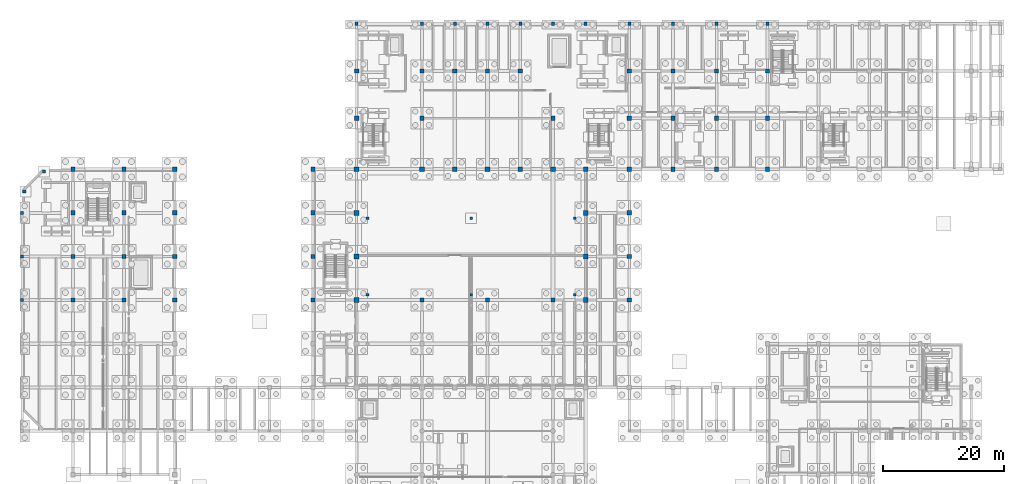
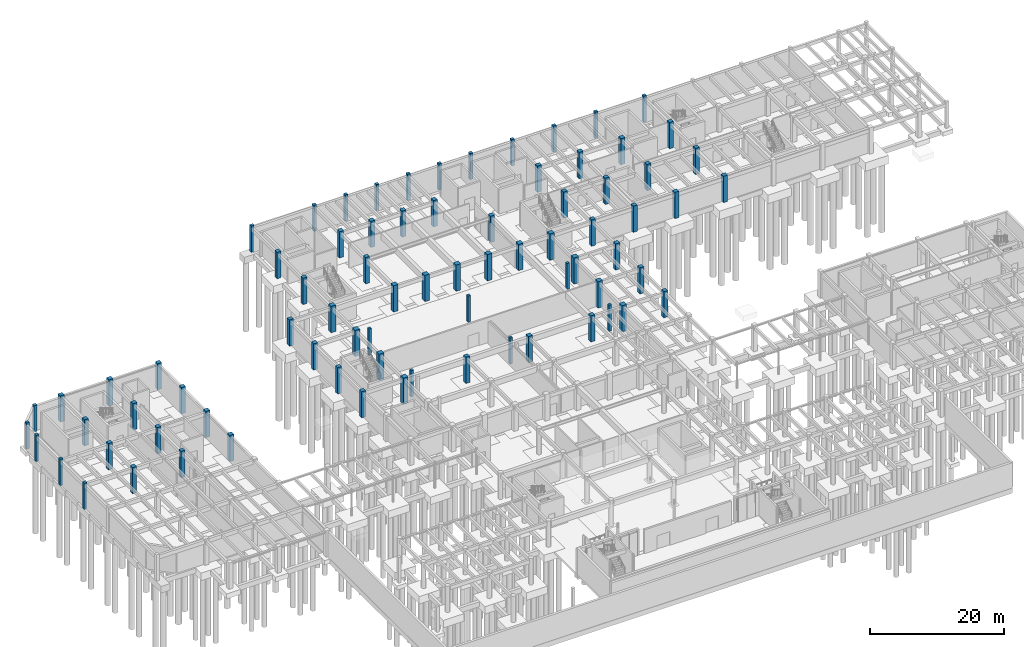
# One storey, part 17 of 46: 77 columns.
"""IFC4 building model written with IfcOpenShell, lengths in metres."""

from ifc_helpers import new_model, si_unit, direction, frame, origin, origin_2d, place, context, subcontext, project, spatial, rectangle, extrude, material, material_profile, profile_set, type_object, element, save


model = new_model("IFC4")

# Units and contexts
model_context = context("Model", 3, precision=1e-05, world=origin(), true_north=direction((0.0, 1.0)))
body_context = subcontext(model_context, "Body", "Model", "MODEL_VIEW")
ifc_project = project(units=[si_unit("LENGTHUNIT", "METRE"), si_unit("AREAUNIT", "SQUARE_METRE"), si_unit("VOLUMEUNIT", "CUBIC_METRE"), si_unit("PLANEANGLEUNIT", "RADIAN"), si_unit("MASSUNIT", "GRAM", prefix="KILO")], contexts=[model_context])

# Site, building, storey
site_placement = place(None, origin())
site = spatial("IfcSite", under=ifc_project, at=site_placement, CompositionType="ELEMENT")
building_placement = place(site_placement, origin())
building = spatial("IfcBuilding", under=site, at=building_placement, Name="Tazoul Stagehouse", CompositionType="ELEMENT")
storey_placement = place(building_placement, frame((0.0, 0.0, -4.800048828125)))
storey = spatial("IfcBuildingStorey", under=building, at=storey_placement, Name="B1", CompositionType="ELEMENT", Elevation=-4.800048828125)

# Columns
ifc_material = material(Name="Concrete C40/50", Category="concrete")
ifc_material_profile_1 = material_profile(ifc_material, rectangle(XDim=0.449951171875, YDim=0.449951171875, at=origin_2d()), Name="RC 450x450")
ifc_profile_set_1 = profile_set([ifc_material_profile_1], Name="Concrete C40/50")
column_type_1 = type_object("IfcColumnType", Name="RC Column 450x450", PredefinedType="COLUMN", material=ifc_profile_set_1)
for number, where, z_axis, x_axis, name in (
    (1, (59.39990234375, 79.699951171875, 0.0), (0.0, 0.0, 1.0), (1.0, 0.0, 0.0), "B1 Bowl Support Column C-01 (V1-STALLS-FRT-1)"),
    (2, (76.5, 79.699951171875, 0.0), (0.0, 0.0, 1.0), (1.0, 0.0, 0.0), "B1 Bowl Support Column C-01 (V1-STALLS-FRT-2)"),
    (3, (93.60009765625, 79.699951171875, 0.0), (0.0, 0.0, 1.0), (1.0, 0.0, 0.0), "B1 Bowl Support Column C-01 (V1-STALLS-FRT-3)"),
    (4, (59.39990234375, 67.10009765625, 0.0), (0.0, 0.0, 1.0), (1.0, 0.0, 0.0), "B1 Bowl Support Column C-01 (V1-STALLS-RER-1)"),
    (5, (76.5, 67.10009765625, 0.0), (0.0, 0.0, 1.0), (1.0, 0.0, 0.0), "B1 Bowl Support Column C-01 (V1-STALLS-RER-2)"),
    (6, (93.60009765625, 67.10009765625, 0.0), (0.0, 0.0, 1.0), (1.0, 0.0, 0.0), "B1 Bowl Support Column C-01 (V1-STALLS-RER-3)"),
):
    element("IfcColumn", number, at=place(storey_placement, frame(where, z_axis=z_axis, x_axis=x_axis)), inside=storey, type_object=column_type_1, Name=name, PredefinedType="COLUMN", context=body_context, shape_type="SweptSolid", body=[
        extrude(rectangle(XDim=0.449951171875, YDim=0.449951171875, at=origin_2d()), origin(), (0.0, 0.0, 1.0), 4.800048828125),
    ])
ifc_material_profile_2 = material_profile(ifc_material, rectangle(XDim=0.5, YDim=0.5, at=origin_2d()), Name="RC 500x500")
ifc_profile_set_2 = profile_set([ifc_material_profile_2], Name="Concrete C40/50")
column_type_2 = type_object("IfcColumnType", Name="RC Column 500x500", PredefinedType="COLUMN", material=ifc_profile_set_2)
for number, where, z_axis, x_axis, name in (
    (7, (6.0, 87.449951171875, 0.0), (0.0, 0.0, 1.0), (1.0, 0.0, 0.0), "B1 Black-Box Chamfer Column C-02 (1)"),
    (8, (2.75, 84.10009765625, 0.0), (0.0, 0.0, 1.0), (1.0, 0.0, 0.0), "B1 Black-Box Chamfer Column C-02 (2)"),
):
    element("IfcColumn", number, at=place(storey_placement, frame(where, z_axis=z_axis, x_axis=x_axis)), inside=storey, type_object=column_type_2, Name=name, PredefinedType="COLUMN", context=body_context, shape_type="SweptSolid", body=[
        extrude(rectangle(XDim=0.5, YDim=0.5, at=origin_2d()), origin(), (0.0, 0.0, 1.0), 4.800048828125),
    ])
ifc_material_profile_3 = material_profile(ifc_material, rectangle(XDim=0.5, YDim=0.5, at=origin_2d()), Name="RC 500x500")
ifc_profile_set_3 = profile_set([ifc_material_profile_3], Name="Concrete C40/50")
column_type_3 = type_object("IfcColumnType", Name="RC Column 500x500 (Exterior)", PredefinedType="COLUMN", material=ifc_profile_set_3)
for number, where, z_axis, x_axis, name in (
    (9, (2.39990234375, 66.199951171875, 0.0), (0.0, 0.0, 1.0), (1.0, 0.0, 0.0), "B1 Column C-02E at 1/K"),
    (10, (2.39990234375, 73.39990234375, 0.0), (0.0, 0.0, 1.0), (1.0, 0.0, 0.0), "B1 Column C-02E at 1/L"),
    (11, (2.39990234375, 80.60009765625, 0.0), (0.0, 0.0, 1.0), (1.0, 0.0, 0.0), "B1 Column C-02E at 1/M"),
    (12, (68.39990234375, 111.800048828125, 0.0), (0.0, 0.0, 1.0), (1.0, 0.0, 0.0), "B1 Column C-02E at 10/R"),
    (13, (73.800048828125, 111.800048828125, 0.0), (0.0, 0.0, 1.0), (1.0, 0.0, 0.0), "B1 Column C-02E at 11/R"),
    (14, (79.199951171875, 111.800048828125, 0.0), (0.0, 0.0, 1.0), (1.0, 0.0, 0.0), "B1 Column C-02E at 12/R"),
    (15, (84.60009765625, 111.800048828125, 0.0), (0.0, 0.0, 1.0), (1.0, 0.0, 0.0), "B1 Column C-02E at 13/R"),
    (16, (90.0, 111.800048828125, 0.0), (0.0, 0.0, 1.0), (1.0, 0.0, 0.0), "B1 Column C-02E at 14/R"),
    (17, (95.39990234375, 111.800048828125, 0.0), (0.0, 0.0, 1.0), (1.0, 0.0, 0.0), "B1 Column C-02E at 15/R"),
    (18, (102.60009765625, 111.800048828125, 0.0), (0.0, 0.0, 1.0), (1.0, 0.0, 0.0), "B1 Column C-02E at 16/R"),
    (19, (109.800048828125, 111.800048828125, 0.0), (0.0, 0.0, 1.0), (1.0, 0.0, 0.0), "B1 Column C-02E at 17/R"),
    (20, (117.0, 111.800048828125, 0.0), (0.0, 0.0, 1.0), (1.0, 0.0, 0.0), "B1 Column C-02E at 18/R"),
    (21, (125.39990234375, 111.800048828125, 0.0), (0.0, 0.0, 1.0), (1.0, 0.0, 0.0), "B1 Column C-02E at 19/R"),
    (22, (57.60009765625, 111.800048828125, 0.0), (0.0, 0.0, 1.0), (1.0, 0.0, 0.0), "B1 Column C-02E at 8/R"),
):
    element("IfcColumn", number, at=place(storey_placement, frame(where, z_axis=z_axis, x_axis=x_axis)), inside=storey, type_object=column_type_3, Name=name, PredefinedType="COLUMN", context=body_context, shape_type="SweptSolid", body=[
        extrude(rectangle(XDim=0.5, YDim=0.5, at=origin_2d()), origin(), (0.0, 0.0, 1.0), 4.800048828125),
    ])
ifc_material_profile_4 = material_profile(ifc_material, rectangle(XDim=0.699951171875, YDim=0.699951171875, at=origin_2d()), Name="RC 700x700")
ifc_profile_set_4 = profile_set([ifc_material_profile_4], Name="Concrete C40/50")
column_type_4 = type_object("IfcColumnType", Name="RC Column 700x700", PredefinedType="COLUMN", material=ifc_profile_set_4)
for number, where, z_axis, x_axis, name in (
    (23, (68.39990234375, 66.199951171875, 0.0), (0.0, 0.0, 1.0), (1.0, 0.0, 0.0), "B1 Column C-04 at 10/K"),
    (24, (68.39990234375, 96.199951171875, 0.0), (0.0, 0.0, 1.0), (1.0, 0.0, 0.0), "B1 Column C-04 at 10/P"),
    (25, (68.39990234375, 104.0, 0.0), (0.0, 0.0, 1.0), (1.0, 0.0, 0.0), "B1 Column C-04 at 10/Q"),
    (26, (73.800048828125, 104.0, 0.0), (0.0, 0.0, 1.0), (1.0, 0.0, 0.0), "B1 Column C-04 at 11/Q"),
    (27, (79.199951171875, 66.199951171875, 0.0), (0.0, 0.0, 1.0), (1.0, 0.0, 0.0), "B1 Column C-04 at 12/K"),
    (28, (79.199951171875, 104.0, 0.0), (0.0, 0.0, 1.0), (1.0, 0.0, 0.0), "B1 Column C-04 at 12/Q"),
    (29, (84.60009765625, 104.0, 0.0), (0.0, 0.0, 1.0), (1.0, 0.0, 0.0), "B1 Column C-04 at 13/Q"),
    (30, (90.0, 66.199951171875, 0.0), (0.0, 0.0, 1.0), (1.0, 0.0, 0.0), "B1 Column C-04 at 14/K"),
    (31, (90.0, 96.199951171875, 0.0), (0.0, 0.0, 1.0), (1.0, 0.0, 0.0), "B1 Column C-04 at 14/P"),
    (32, (102.60009765625, 96.199951171875, 0.0), (0.0, 0.0, 1.0), (1.0, 0.0, 0.0), "B1 Column C-04 at 16/P"),
    (33, (102.60009765625, 104.0, 0.0), (0.0, 0.0, 1.0), (1.0, 0.0, 0.0), "B1 Column C-04 at 16/Q"),
    (34, (109.800048828125, 96.199951171875, 0.0), (0.0, 0.0, 1.0), (1.0, 0.0, 0.0), "B1 Column C-04 at 17/P"),
    (35, (109.800048828125, 104.0, 0.0), (0.0, 0.0, 1.0), (1.0, 0.0, 0.0), "B1 Column C-04 at 17/Q"),
    (36, (117.0, 96.199951171875, 0.0), (0.0, 0.0, 1.0), (1.0, 0.0, 0.0), "B1 Column C-04 at 18/P"),
    (37, (117.0, 104.0, 0.0), (0.0, 0.0, 1.0), (1.0, 0.0, 0.0), "B1 Column C-04 at 18/Q"),
    (38, (125.39990234375, 96.199951171875, 0.0), (0.0, 0.0, 1.0), (1.0, 0.0, 0.0), "B1 Column C-04 at 19/P"),
    (39, (125.39990234375, 104.0, 0.0), (0.0, 0.0, 1.0), (1.0, 0.0, 0.0), "B1 Column C-04 at 19/Q"),
    (40, (10.800048828125, 66.199951171875, 0.0), (0.0, 0.0, 1.0), (1.0, 0.0, 0.0), "B1 Column C-04 at 2/K"),
    (41, (10.800048828125, 73.39990234375, 0.0), (0.0, 0.0, 1.0), (1.0, 0.0, 0.0), "B1 Column C-04 at 2/L"),
    (42, (10.800048828125, 80.60009765625, 0.0), (0.0, 0.0, 1.0), (1.0, 0.0, 0.0), "B1 Column C-04 at 2/M"),
    (43, (19.199951171875, 66.199951171875, 0.0), (0.0, 0.0, 1.0), (1.0, 0.0, 0.0), "B1 Column C-04 at 3/K"),
    (44, (19.199951171875, 73.39990234375, 0.0), (0.0, 0.0, 1.0), (1.0, 0.0, 0.0), "B1 Column C-04 at 3/L"),
    (45, (19.199951171875, 80.60009765625, 0.0), (0.0, 0.0, 1.0), (1.0, 0.0, 0.0), "B1 Column C-04 at 3/M"),
):
    element("IfcColumn", number, at=place(storey_placement, frame(where, z_axis=z_axis, x_axis=x_axis)), inside=storey, type_object=column_type_4, Name=name, PredefinedType="COLUMN", context=body_context, shape_type="SweptSolid", body=[
        extrude(rectangle(XDim=0.699951171875, YDim=0.699951171875, at=origin_2d()), origin(), (0.0, 0.0, 1.0), 4.800048828125),
    ])
ifc_material_profile_5 = material_profile(ifc_material, rectangle(XDim=0.699951171875, YDim=0.699951171875, at=origin_2d()), Name="RC 700x700")
ifc_profile_set_5 = profile_set([ifc_material_profile_5], Name="Concrete C40/50")
column_type_5 = type_object("IfcColumnType", Name="RC Column 700x700 (Exterior)", PredefinedType="COLUMN", material=ifc_profile_set_5)
for number, where, z_axis, x_axis, name in (
    (46, (102.60009765625, 66.199951171875, 0.0), (0.0, 0.0, 1.0), (1.0, 0.0, 0.0), "B1 Column C-04E at 16/K"),
    (47, (102.60009765625, 73.39990234375, 0.0), (0.0, 0.0, 1.0), (1.0, 0.0, 0.0), "B1 Column C-04E at 16/L"),
    (48, (102.60009765625, 80.60009765625, 0.0), (0.0, 0.0, 1.0), (1.0, 0.0, 0.0), "B1 Column C-04E at 16/M"),
    (49, (102.60009765625, 87.800048828125, 0.0), (0.0, 0.0, 1.0), (1.0, 0.0, 0.0), "B1 Column C-04E at 16/N"),
    (50, (109.800048828125, 87.800048828125, 0.0), (0.0, 0.0, 1.0), (1.0, 0.0, 0.0), "B1 Column C-04E at 17/N"),
    (51, (117.0, 87.800048828125, 0.0), (0.0, 0.0, 1.0), (1.0, 0.0, 0.0), "B1 Column C-04E at 18/N"),
    (52, (125.39990234375, 87.800048828125, 0.0), (0.0, 0.0, 1.0), (1.0, 0.0, 0.0), "B1 Column C-04E at 19/N"),
    (53, (10.800048828125, 87.800048828125, 0.0), (0.0, 0.0, 1.0), (1.0, 0.0, 0.0), "B1 Column C-04E at 2/N"),
    (54, (19.199951171875, 87.800048828125, 0.0), (0.0, 0.0, 1.0), (1.0, 0.0, 0.0), "B1 Column C-04E at 3/N"),
    (55, (27.60009765625, 66.199951171875, 0.0), (0.0, 0.0, 1.0), (1.0, 0.0, 0.0), "B1 Column C-04E at 4/K"),
    (56, (27.60009765625, 73.39990234375, 0.0), (0.0, 0.0, 1.0), (1.0, 0.0, 0.0), "B1 Column C-04E at 4/L"),
    (57, (27.60009765625, 80.60009765625, 0.0), (0.0, 0.0, 1.0), (1.0, 0.0, 0.0), "B1 Column C-04E at 4/M"),
    (58, (27.60009765625, 87.800048828125, 0.0), (0.0, 0.0, 1.0), (1.0, 0.0, 0.0), "B1 Column C-04E at 4/N"),
    (59, (50.39990234375, 66.199951171875, 0.0), (0.0, 0.0, 1.0), (1.0, 0.0, 0.0), "B1 Column C-04E at 7/K"),
    (60, (50.39990234375, 73.39990234375, 0.0), (0.0, 0.0, 1.0), (1.0, 0.0, 0.0), "B1 Column C-04E at 7/L"),
    (61, (50.39990234375, 80.60009765625, 0.0), (0.0, 0.0, 1.0), (1.0, 0.0, 0.0), "B1 Column C-04E at 7/M"),
    (62, (50.39990234375, 87.800048828125, 0.0), (0.0, 0.0, 1.0), (1.0, 0.0, 0.0), "B1 Column C-04E at 7/N"),
    (63, (57.60009765625, 96.199951171875, 0.0), (0.0, 0.0, 1.0), (1.0, 0.0, 0.0), "B1 Column C-04E at 8/P"),
    (64, (57.60009765625, 104.0, 0.0), (0.0, 0.0, 1.0), (1.0, 0.0, 0.0), "B1 Column C-04E at 8/Q"),
):
    element("IfcColumn", number, at=place(storey_placement, frame(where, z_axis=z_axis, x_axis=x_axis)), inside=storey, type_object=column_type_5, Name=name, PredefinedType="COLUMN", context=body_context, shape_type="SweptSolid", body=[
        extrude(rectangle(XDim=0.699951171875, YDim=0.699951171875, at=origin_2d()), origin(), (0.0, 0.0, 1.0), 4.800048828125),
    ])
ifc_material_profile_6 = material_profile(ifc_material, rectangle(XDim=0.800048828125, YDim=0.800048828125, at=origin_2d()), Name="RC 800x800")
ifc_profile_set_6 = profile_set([ifc_material_profile_6], Name="Concrete C40/50")
column_type_6 = type_object("IfcColumnType", Name="RC Column 800x800", PredefinedType="COLUMN", material=ifc_profile_set_6)
for number, where, z_axis, x_axis, name in (
    (65, (68.39990234375, 87.800048828125, 0.0), (0.0, 0.0, 1.0), (1.0, 0.0, 0.0), "B1 Column C-05 at 10/N"),
    (66, (73.800048828125, 87.800048828125, 0.0), (0.0, 0.0, 1.0), (1.0, 0.0, 0.0), "B1 Column C-05 at 11/N"),
    (67, (79.199951171875, 87.800048828125, 0.0), (0.0, 0.0, 1.0), (1.0, 0.0, 0.0), "B1 Column C-05 at 12/N"),
    (68, (84.60009765625, 87.800048828125, 0.0), (0.0, 0.0, 1.0), (1.0, 0.0, 0.0), "B1 Column C-05 at 13/N"),
    (69, (90.0, 87.800048828125, 0.0), (0.0, 0.0, 1.0), (1.0, 0.0, 0.0), "B1 Column C-05 at 14/N"),
    (70, (95.39990234375, 66.199951171875, 0.0), (0.0, 0.0, 1.0), (1.0, 0.0, 0.0), "B1 Column C-05 at 15/K"),
    (71, (95.39990234375, 73.39990234375, 0.0), (0.0, 0.0, 1.0), (1.0, 0.0, 0.0), "B1 Column C-05 at 15/L"),
    (72, (95.39990234375, 80.60009765625, 0.0), (0.0, 0.0, 1.0), (1.0, 0.0, 0.0), "B1 Column C-05 at 15/M"),
    (73, (95.39990234375, 87.800048828125, 0.0), (0.0, 0.0, 1.0), (1.0, 0.0, 0.0), "B1 Column C-05 at 15/N"),
    (74, (57.60009765625, 66.199951171875, 0.0), (0.0, 0.0, 1.0), (1.0, 0.0, 0.0), "B1 Column C-05 at 8/K"),
    (75, (57.60009765625, 73.39990234375, 0.0), (0.0, 0.0, 1.0), (1.0, 0.0, 0.0), "B1 Column C-05 at 8/L"),
    (76, (57.60009765625, 80.60009765625, 0.0), (0.0, 0.0, 1.0), (1.0, 0.0, 0.0), "B1 Column C-05 at 8/M"),
):
    element("IfcColumn", number, at=place(storey_placement, frame(where, z_axis=z_axis, x_axis=x_axis)), inside=storey, type_object=column_type_6, Name=name, PredefinedType="COLUMN", context=body_context, shape_type="SweptSolid", body=[
        extrude(rectangle(XDim=0.800048828125, YDim=0.800048828125, at=origin_2d()), origin(), (0.0, 0.0, 1.0), 4.800048828125),
    ])
ifc_material_profile_7 = material_profile(ifc_material, rectangle(XDim=0.800048828125, YDim=0.800048828125, at=origin_2d()), Name="RC 800x800")
ifc_profile_set_7 = profile_set([ifc_material_profile_7], Name="Concrete C40/50")
column_type_7 = type_object("IfcColumnType", Name="RC Column 800x800 (Exterior)", PredefinedType="COLUMN", material=ifc_profile_set_7)
column_placement = place(storey_placement, frame((57.60009765625, 87.800048828125, 0.0), z_axis=(0.0, 0.0, 1.0), x_axis=(1.0, 0.0, 0.0)))
element("IfcColumn", 77, at=column_placement, inside=storey, type_object=column_type_7, Name="B1 Column C-05E at 8/N", PredefinedType="COLUMN", context=body_context, shape_type="SweptSolid", body=[
    extrude(rectangle(XDim=0.800048828125, YDim=0.800048828125, at=origin_2d()), origin(), (0.0, 0.0, 1.0), 4.800048828125),
])

save(model, "model.ifc")
